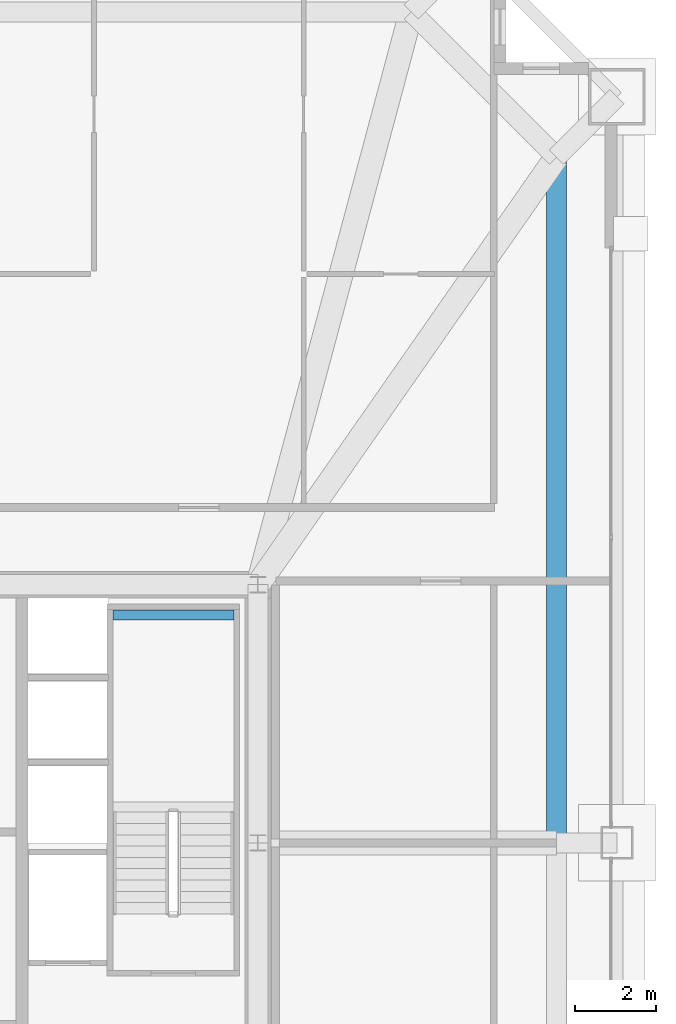
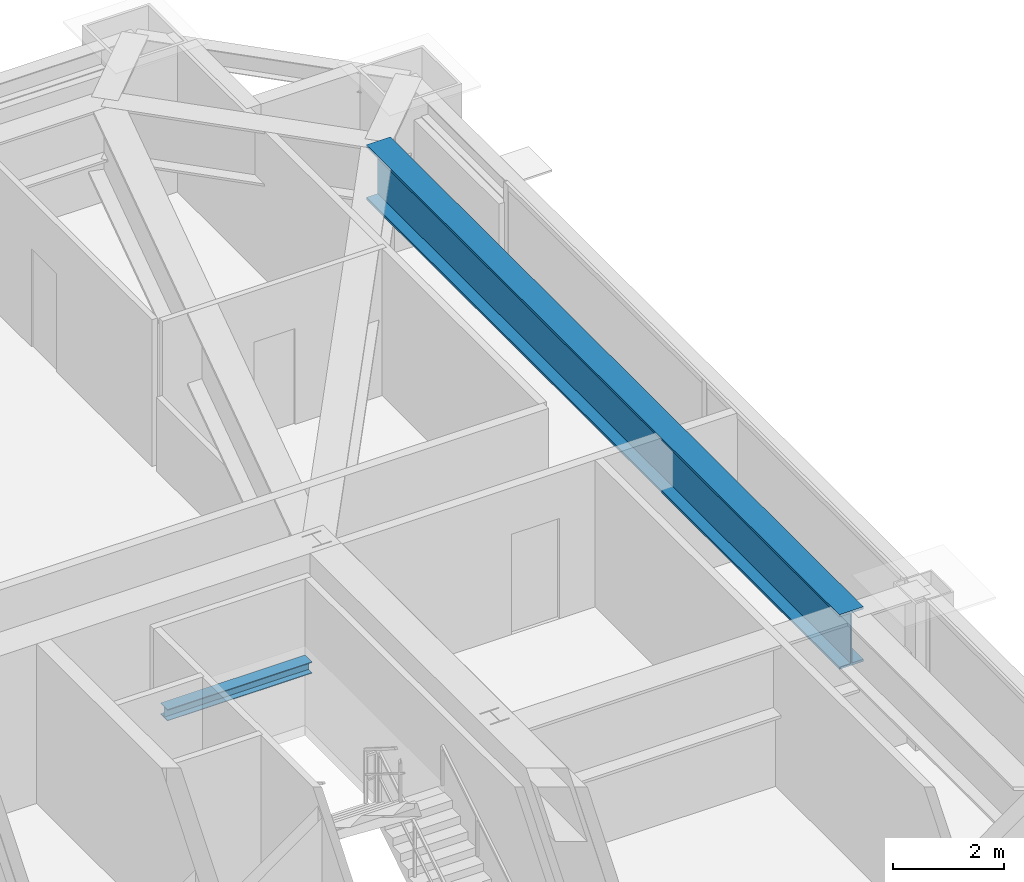
# One storey, part 21 of 39: 2 beams.
"""IFC4 building model written with IfcOpenShell, lengths in metres."""

from ifc_helpers import new_model, si_unit, direction, frame, origin, origin_2d, place, context, subcontext, project, spatial, i_section, extrude, source, transform, mapped, material, material_profile, profile_set, type_object, element, save


model = new_model("IFC4")

# Units and contexts
model_context = context("Model", 3, precision=1e-05, world=origin(), true_north=direction((0.0, 1.0)))
body_context = subcontext(model_context, "Body", "Model", "MODEL_VIEW")
ifc_project = project(units=[si_unit("LENGTHUNIT", "METRE"), si_unit("AREAUNIT", "SQUARE_METRE"), si_unit("VOLUMEUNIT", "CUBIC_METRE"), si_unit("PLANEANGLEUNIT", "RADIAN"), si_unit("MASSUNIT", "GRAM", prefix="KILO"), si_unit("THERMODYNAMICTEMPERATUREUNIT", "KELVIN"), si_unit("POWERUNIT", "WATT")], contexts=[model_context])

# Site, building, storey
site_placement = place(None, origin())
site = spatial("IfcSite", under=ifc_project, at=site_placement, CompositionType="ELEMENT")
building_placement = place(site_placement, origin())
building = spatial("IfcBuilding", under=site, at=building_placement, Name="Yuzanri Waterfront Tower", CompositionType="ELEMENT")
storey_placement = place(building_placement, frame((0.0, 0.0, 216.0)))
storey = spatial("IfcBuildingStorey", under=building, at=storey_placement, Name="L57", CompositionType="ELEMENT", Elevation=216.0)

# Beams
ifc_material_1 = material(Name="Steel Q420GJC", Category="steel")
ifc_material_profile_1 = material_profile(ifc_material_1, i_section(OverallWidth=0.5, OverallDepth=1.199951171875, WebThickness=0.028076171875, FlangeThickness=0.050048828125, at=origin_2d()), Name="PG 1200x500x28x50")
ifc_profile_set_1 = profile_set([ifc_material_profile_1], Name="Steel Q420GJC")
beam_type_1 = type_object("IfcBeamType", Name="Setback Transfer Girder Q420GJC PG 1200x500", PredefinedType="USERDEFINED", material=ifc_profile_set_1)
shared_shape_1 = source(origin(), body_context, "Body", "SweptSolid", [
    extrude(i_section(OverallWidth=0.5, OverallDepth=1.199951171875, WebThickness=0.028076171875, FlangeThickness=0.050048828125, at=origin_2d()), origin(), (0.0, 0.0, 1.0), 17.0),
])
beam_1_placement = place(storey_placement, frame((57.60009765625, 25.800048828125, 2.6201171875), z_axis=(0.0, 1.0, 0.0), x_axis=(-1.0, 0.0, 0.0)))
element("IfcBeam", 1, at=beam_1_placement, inside=storey, type_object=beam_type_1, Name="L57 Setback Upper Ring E2-E3", ObjectType="GIRDER", PredefinedType="USERDEFINED", context=body_context, shape_type="MappedRepresentation", body=[
    mapped(shared_shape_1, transform((0.0, 0.0, 0.0), scale=1.0)),
])
ifc_material_2 = material(Name="Steel Q355B", Category="steel")
ifc_material_profile_2 = material_profile(ifc_material_2, i_section(OverallWidth=0.25, OverallDepth=0.25, WebThickness=0.009033203125, FlangeThickness=0.013916015625, at=origin_2d()), Name="HW 250x250x9x14")
ifc_profile_set_2 = profile_set([ifc_material_profile_2], Name="Steel Q355B")
beam_type_2 = type_object("IfcBeamType", Name="Stair Landing Support Beam Q355B HW 250x250", PredefinedType="BEAM", material=ifc_profile_set_2)
shared_shape_2 = source(origin(), body_context, "Body", "SweptSolid", [
    extrude(i_section(OverallWidth=0.25, OverallDepth=0.25, WebThickness=0.009033203125, FlangeThickness=0.013916015625, at=origin_2d()), origin(), (0.0, 0.0, 1.0), 3.0),
])
beam_2_placement = place(storey_placement, frame((46.60009765625, 31.449951171875, 1.425048828125), z_axis=(1.0, 0.0, 0.0), x_axis=(0.0, 1.0, 0.0)))
element("IfcBeam", 2, at=beam_2_placement, inside=storey, type_object=beam_type_2, Name="L57 Stair Landing Support Beam ST-02-L57-L1-2", PredefinedType="BEAM", context=body_context, shape_type="MappedRepresentation", body=[
    mapped(shared_shape_2, transform((0.0, 0.0, 0.0), scale=1.0)),
])

save(model, "model.ifc")
